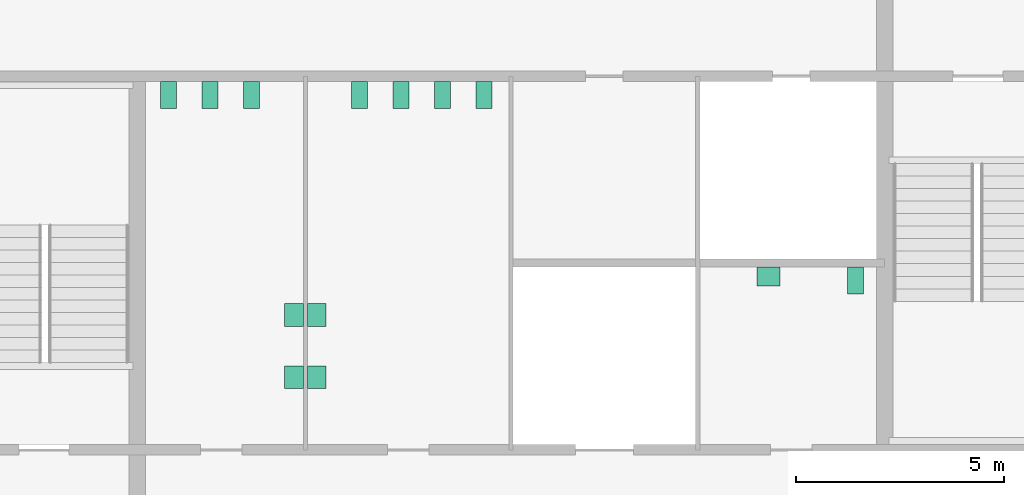
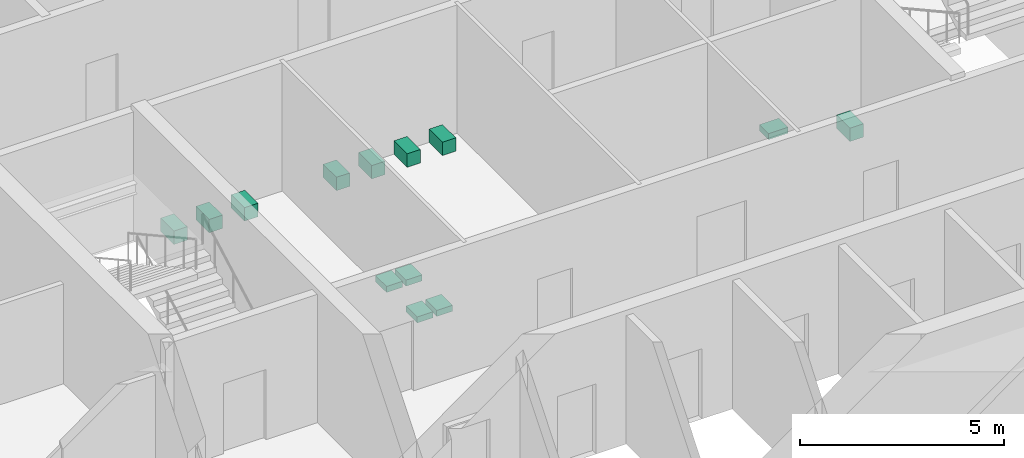
# One storey, part 12 of 12: 13 sanitary terminals.
"""IFC4 building model written with IfcOpenShell, lengths in metres."""

from ifc_helpers import new_model, si_unit, direction, frame, origin, origin_2d, place, context, subcontext, project, spatial, rectangle, extrude, material, type_object, element, save


model = new_model("IFC4")

# Units and contexts
model_context = context("Model", 3, precision=1e-05, world=origin(), true_north=direction((0.0, 1.0)))
body_context = subcontext(model_context, "Body", "Model", "MODEL_VIEW")
ifc_project = project(units=[si_unit("LENGTHUNIT", "METRE"), si_unit("AREAUNIT", "SQUARE_METRE"), si_unit("VOLUMEUNIT", "CUBIC_METRE"), si_unit("PLANEANGLEUNIT", "RADIAN"), si_unit("MASSUNIT", "GRAM", prefix="KILO")], contexts=[model_context])

# Site, building, storey
site_placement = place(None, origin())
site = spatial("IfcSite", under=ifc_project, at=site_placement, CompositionType="ELEMENT")
building_placement = place(site_placement, origin())
building = spatial("IfcBuilding", under=site, at=building_placement, Name="Corais Broadcast Tower", CompositionType="ELEMENT")
storey_placement = place(building_placement, frame((0.0, 0.0, 131.60009765625)))
storey = spatial("IfcBuildingStorey", under=building, at=storey_placement, Name="L29", CompositionType="ELEMENT", Elevation=131.60009765625)

# Sanitary terminals
ifc_material_1 = material(Name="Vitreous china", Category="ceramic")
sanitary_terminal_type_1 = type_object("IfcSanitaryTerminalType", Name="WC pan 380x650", PredefinedType="TOILETPAN", material=ifc_material_1)
for number, where, z_axis, x_axis, name in (
    (1, (18.75, 31.050048828125, 0.0), (0.0, 0.0, 1.0), (1.0, 0.0, 0.0), "SW1 WC pan, male toilets L29"),
    (2, (19.75, 31.050048828125, 0.0), (0.0, 0.0, 1.0), (1.0, 0.0, 0.0), "SW1 WC pan, male toilets L29"),
    (3, (20.75, 31.050048828125, 0.0), (0.0, 0.0, 1.0), (1.0, 0.0, 0.0), "SW1 WC pan, male toilets L29"),
    (4, (23.35009765625, 31.050048828125, 0.0), (0.0, 0.0, 1.0), (1.0, 0.0, 0.0), "SW1 WC pan, female toilets L29"),
    (5, (24.35009765625, 31.050048828125, 0.0), (0.0, 0.0, 1.0), (1.0, 0.0, 0.0), "SW1 WC pan, female toilets L29"),
    (6, (25.35009765625, 31.050048828125, 0.0), (0.0, 0.0, 1.0), (1.0, 0.0, 0.0), "SW1 WC pan, female toilets L29"),
    (7, (26.35009765625, 31.050048828125, 0.0), (0.0, 0.0, 1.0), (1.0, 0.0, 0.0), "SW1 WC pan, female toilets L29"),
    (8, (35.300048828125, 26.574951171875, 0.0), (0.0, 0.0, 1.0), (1.0, 0.0, 0.0), "SW1 WC pan, accessible WC L29"),
):
    element("IfcSanitaryTerminal", number, at=place(storey_placement, frame(where, z_axis=z_axis, x_axis=x_axis)), inside=storey, type_object=sanitary_terminal_type_1, Name=name, PredefinedType="TOILETPAN", context=body_context, shape_type="SweptSolid", body=[
        extrude(rectangle(XDim=0.3798828125, YDim=0.64990234375, at=origin_2d()), origin(), (0.0, 0.0, 1.0), 0.39990234375),
    ])
ifc_material_2 = material(Name="Vitreous china", Category="ceramic")
sanitary_terminal_type_2 = type_object("IfcSanitaryTerminalType", Name="Wash basin 550x450", PredefinedType="WASHHANDBASIN", material=ifc_material_2)
for number, where, z_axis, x_axis, name in (
    (9, (21.77490234375, 24.25, 0.69970703125), (0.0, 0.0, 1.0), (1.0, 0.0, 0.0), "WB1 wash basin, male toilets L29"),
    (10, (21.77490234375, 25.75, 0.69970703125), (0.0, 0.0, 1.0), (1.0, 0.0, 0.0), "WB1 wash basin, male toilets L29"),
    (11, (22.324951171875, 24.25, 0.69970703125), (0.0, 0.0, 1.0), (1.0, 0.0, 0.0), "WB1 wash basin, female toilets L29"),
    (12, (22.324951171875, 25.75, 0.69970703125), (0.0, 0.0, 1.0), (1.0, 0.0, 0.0), "WB1 wash basin, female toilets L29"),
):
    element("IfcSanitaryTerminal", number, at=place(storey_placement, frame(where, z_axis=z_axis, x_axis=x_axis)), inside=storey, type_object=sanitary_terminal_type_2, Name=name, PredefinedType="WASHHANDBASIN", context=body_context, shape_type="SweptSolid", body=[
        extrude(rectangle(XDim=0.449951171875, YDim=0.550048828125, at=origin_2d()), origin(), (0.0, 0.0, 1.0), 0.179931640625),
    ])
sanitary_terminal_placement = place(storey_placement, frame((33.199951171875, 26.675048828125, 0.69970703125), z_axis=(0.0, 0.0, 1.0), x_axis=(1.0, 0.0, 0.0)))
element("IfcSanitaryTerminal", 13, at=sanitary_terminal_placement, inside=storey, type_object=sanitary_terminal_type_2, Name="WB1 wash basin, accessible WC L29", PredefinedType="WASHHANDBASIN", context=body_context, shape_type="SweptSolid", body=[
    extrude(rectangle(XDim=0.550048828125, YDim=0.449951171875, at=origin_2d()), origin(), (0.0, 0.0, 1.0), 0.179931640625),
])

save(model, "model.ifc")
